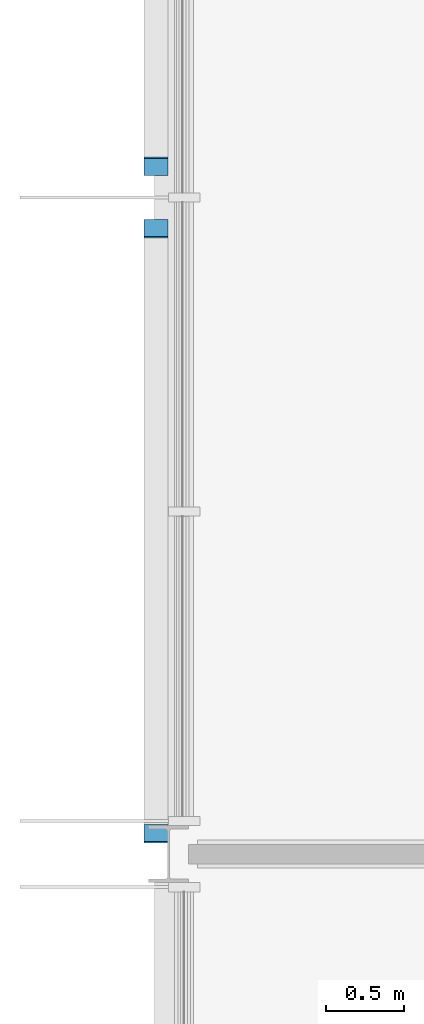
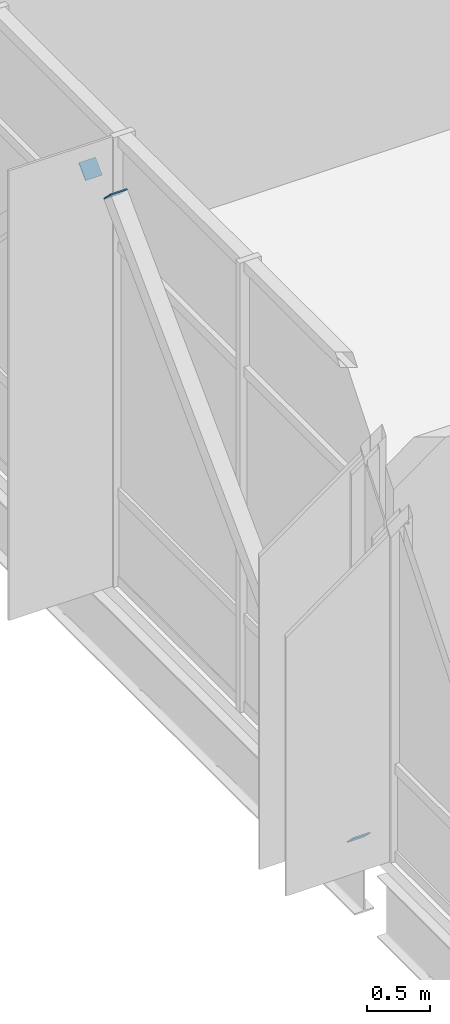
# One storey, part 12 of 17: 3 discrete accessories.
"""IFC4 building model written with IfcOpenShell, lengths in metres."""

from ifc_helpers import new_model, si_unit, direction, frame, origin, origin_2d, place, context, subcontext, project, spatial, rectangle, extrude, material, element, save


model = new_model("IFC4")

# Units and contexts
model_context = context("Model", 3, precision=1e-05, world=origin(), true_north=direction((0.0, 1.0)))
body_context = subcontext(model_context, "Body", "Model", "MODEL_VIEW")
ifc_project = project(units=[si_unit("LENGTHUNIT", "METRE"), si_unit("AREAUNIT", "SQUARE_METRE"), si_unit("VOLUMEUNIT", "CUBIC_METRE"), si_unit("PLANEANGLEUNIT", "RADIAN"), si_unit("MASSUNIT", "GRAM", prefix="KILO")], contexts=[model_context])

# Site, building, storey
site_placement = place(None, origin())
site = spatial("IfcSite", under=ifc_project, at=site_placement, CompositionType="ELEMENT")
building_placement = place(site_placement, origin())
building = spatial("IfcBuilding", under=site, at=building_placement, Name="Hlaing Beacon Police Headquarters", CompositionType="ELEMENT")
storey_placement = place(building_placement, frame((0.0, 0.0, 36.89990234375)))
storey = spatial("IfcBuildingStorey", under=building, at=storey_placement, Name="L08", CompositionType="ELEMENT", Elevation=36.89990234375)

# Discrete accessories
ifc_material = material(Name="Steel ASTM A572 Grade 50", Category="steel")
for number, where, z_axis, x_axis, name in (
    (1, (100.7197265625, 42.134033203125, 0.058349609375), (0.0, -0.704124468733, -0.710076568077), (1.0, 0.0, 0.0), "Gusset plate GP-081"),
    (2, (100.7197265625, 45.995849609375, 3.952880859375), (0.0, 0.704124468733, 0.710076568077), (-1.0, 0.0, 0.0), "Gusset plate GP-082"),
    (3, (100.7197265625, 46.404052734375, 3.952880859375), (0.0, -0.704124468733, 0.710076568077), (1.0, 0.0, 0.0), "Gusset plate GP-084"),
):
    element("IfcDiscreteAccessory", number, at=place(storey_placement, frame(where, z_axis=z_axis, x_axis=x_axis)), inside=storey, material=ifc_material, Name=name, PredefinedType="BRACKET", context=body_context, shape_type="SweptSolid", body=[
        extrude(rectangle(XDim=0.15234375, YDim=0.15234375, at=origin_2d()), origin(), (0.0, 0.0, 1.0), 0.011962890625),
    ])

save(model, "model.ifc")
